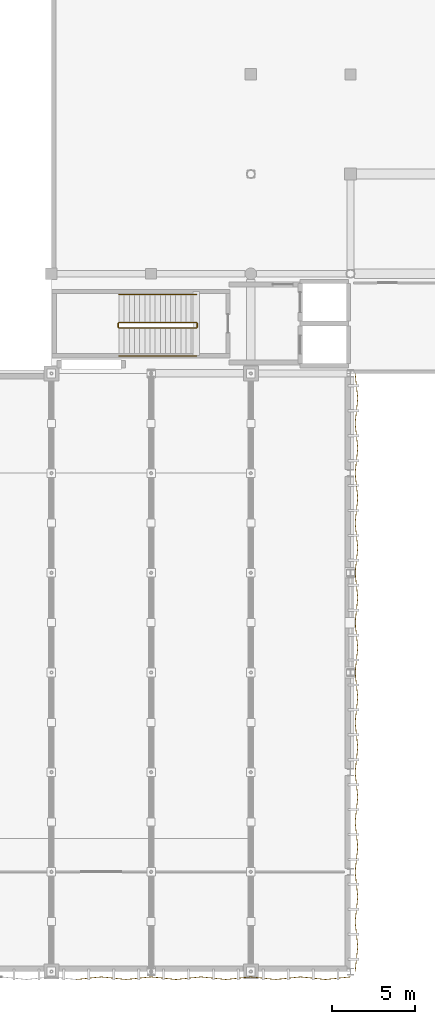
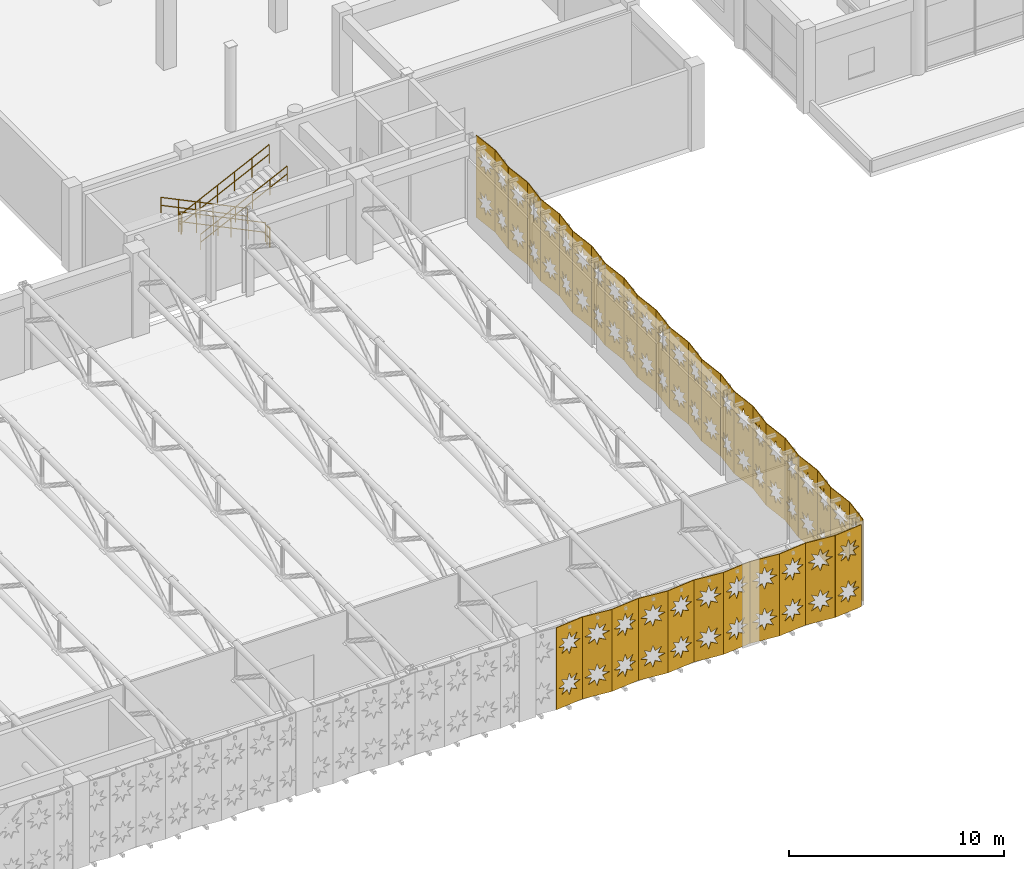
# One storey, part 121 of 123: 35 coverings, 6 railings.
"""IFC4 building model written with IfcOpenShell, lengths in metres."""

from ifc_helpers import new_model, si_unit, direction, frame, origin, origin_2d, place, context, subcontext, project, spatial, polyline, circle, outline, extrude, material, layer, layer_set, type_object, element, save


model = new_model("IFC4")

# Units and contexts
model_context = context("Model", 3, precision=1e-05, world=origin(), true_north=direction((0.0, 1.0)))
body_context = subcontext(model_context, "Body", "Model", "MODEL_VIEW")
ifc_project = project(units=[si_unit("LENGTHUNIT", "METRE"), si_unit("AREAUNIT", "SQUARE_METRE"), si_unit("VOLUMEUNIT", "CUBIC_METRE"), si_unit("PLANEANGLEUNIT", "RADIAN"), si_unit("MASSUNIT", "GRAM", prefix="KILO"), si_unit("THERMODYNAMICTEMPERATUREUNIT", "KELVIN"), si_unit("POWERUNIT", "WATT")], contexts=[model_context])

# Site, building, storey
site_placement = place(None, origin())
site = spatial("IfcSite", under=ifc_project, at=site_placement, CompositionType="ELEMENT")
building_placement = place(site_placement, origin())
building = spatial("IfcBuilding", under=site, at=building_placement, Name="Phaisarnlok Congress Hotel", CompositionType="ELEMENT")
storey_placement = place(building_placement, frame((0.0, 0.0, 15.0)))
storey = spatial("IfcBuildingStorey", under=building, at=storey_placement, Name="L03", CompositionType="ELEMENT", Elevation=15.0)

# Coverings
ifc_material_1 = material(Name="PVDF White Perforated Aluminium Alloy 5052", Category="aluminium")
ifc_layer = layer(ifc_material_1, 0.0400390625, Name="PVDF White Perforated Aluminium Alloy 5052")
ifc_layer_set = layer_set([ifc_layer], Name="PVDF White Perforated Aluminium Alloy 5052")
covering_type = type_object("IfcCoveringType", Name="COV-STAR-FOLD", PredefinedType="CLADDING", material=ifc_layer_set)
for number, where, z_axis, x_axis, name in (
    (1, (127.5, -0.457763671875, 0.06005859375), (0.104566819602, -0.994517863207, 0.0), (0.994517863207, 0.104566819602, 0.0), "Folded star-perforated hall screen SS-02 (V2S L03)"),
    (2, (129.0, -0.300048828125, 0.06005859375), (-0.104566819602, -0.994517863207, 0.0), (0.994517863207, -0.104566819602, 0.0), "Folded star-perforated hall screen SS-02 (V2S L03)"),
    (3, (130.5, -0.457763671875, 0.06005859375), (0.104566819602, -0.994517863207, 0.0), (0.994517863207, 0.104566819602, 0.0), "Folded star-perforated hall screen SS-02 (V2S L03)"),
    (4, (132.0, -0.300048828125, 0.06005859375), (-0.104566819602, -0.994517863207, 0.0), (0.994517863207, -0.104566819602, 0.0), "Folded star-perforated hall screen SS-02 (V2S L03)"),
    (5, (133.5, -0.457763671875, 0.06005859375), (0.104566819602, -0.994517863207, 0.0), (0.994517863207, 0.104566819602, 0.0), "Folded star-perforated hall screen SS-02 (V2S L03)"),
    (6, (135.0, -0.300048828125, 0.06005859375), (-0.104566819602, -0.994517863207, 0.0), (0.994517863207, -0.104566819602, 0.0), "Folded star-perforated hall screen SS-02 (V2S L03)"),
    (7, (136.5, -0.457763671875, 0.06005859375), (0.104566819602, -0.994517863207, 0.0), (0.994517863207, 0.104566819602, 0.0), "Folded star-perforated hall screen SS-02 (V2S L03)"),
    (8, (138.0, -0.300048828125, 0.06005859375), (-0.104566819602, -0.994517863207, 0.0), (0.994517863207, -0.104566819602, 0.0), "Folded star-perforated hall screen SS-02 (V2S L03)"),
    (9, (139.5, -0.457763671875, 0.06005859375), (0.104566819602, -0.994517863207, 0.0), (0.994517863207, 0.104566819602, 0.0), "Folded star-perforated hall screen SS-02 (V2S L03)"),
    (10, (141.0, -0.300048828125, 0.06005859375), (-0.104566819602, -0.994517863207, 0.0), (0.994517863207, -0.104566819602, 0.0), "Folded star-perforated hall screen SS-02 (V2S L03)"),
    (11, (142.5, -0.457763671875, 0.06005859375), (0.104566819602, -0.994517863207, 0.0), (0.994517863207, 0.104566819602, 0.0), "Folded star-perforated hall screen SS-02 (V2S L03)"),
    (12, (144.457763671875, 1.5, 0.06005859375), (-0.994517863207, 0.104566819602, 0.0), (-0.104566819602, -0.994517863207, 0.0), "Folded star-perforated hall screen SS-02 (V2E L03)"),
    (13, (144.300048828125, 3.0, 0.06005859375), (-0.994517863207, -0.104566819602, 0.0), (0.104566819602, -0.994517863207, 0.0), "Folded star-perforated hall screen SS-02 (V2E L03)"),
    (14, (144.457763671875, 4.5, 0.06005859375), (-0.994517863207, 0.104566819602, 0.0), (-0.104566819602, -0.994517863207, 0.0), "Folded star-perforated hall screen SS-02 (V2E L03)"),
    (15, (144.300048828125, 6.0, 0.06005859375), (-0.994517863207, -0.104566819602, 0.0), (0.104566819602, -0.994517863207, 0.0), "Folded star-perforated hall screen SS-02 (V2E L03)"),
    (16, (144.457763671875, 7.5, 0.06005859375), (-0.994517863207, 0.104566819602, 0.0), (-0.104566819602, -0.994517863207, 0.0), "Folded star-perforated hall screen SS-02 (V2E L03)"),
    (17, (144.300048828125, 9.0, 0.06005859375), (-0.994517863207, -0.104566819602, 0.0), (0.104566819602, -0.994517863207, 0.0), "Folded star-perforated hall screen SS-02 (V2E L03)"),
    (18, (144.457763671875, 10.5, 0.06005859375), (-0.994517863207, 0.104566819602, 0.0), (-0.104566819602, -0.994517863207, 0.0), "Folded star-perforated hall screen SS-02 (V2E L03)"),
    (19, (144.300048828125, 12.0, 0.06005859375), (-0.994517863207, -0.104566819602, 0.0), (0.104566819602, -0.994517863207, 0.0), "Folded star-perforated hall screen SS-02 (V2E L03)"),
    (20, (144.457763671875, 13.5, 0.06005859375), (-0.994517863207, 0.104566819602, 0.0), (-0.104566819602, -0.994517863207, 0.0), "Folded star-perforated hall screen SS-02 (V2E L03)"),
    (21, (144.300048828125, 15.0, 0.06005859375), (-0.994517863207, -0.104566819602, 0.0), (0.104566819602, -0.994517863207, 0.0), "Folded star-perforated hall screen SS-02 (V2E L03)"),
    (22, (144.457763671875, 16.5, 0.06005859375), (-0.994517863207, 0.104566819602, 0.0), (-0.104566819602, -0.994517863207, 0.0), "Folded star-perforated hall screen SS-02 (V2E L03)"),
    (23, (144.300048828125, 18.0, 0.06005859375), (-0.994517863207, -0.104566819602, 0.0), (0.104566819602, -0.994517863207, 0.0), "Folded star-perforated hall screen SS-02 (V2E L03)"),
    (24, (144.457763671875, 19.5, 0.06005859375), (-0.994517863207, 0.104566819602, 0.0), (-0.104566819602, -0.994517863207, 0.0), "Folded star-perforated hall screen SS-02 (V2E L03)"),
    (25, (144.300048828125, 21.0, 0.06005859375), (-0.994517863207, -0.104566819602, 0.0), (0.104566819602, -0.994517863207, 0.0), "Folded star-perforated hall screen SS-02 (V2E L03)"),
    (26, (144.457763671875, 22.5, 0.06005859375), (-0.994517863207, 0.104566819602, 0.0), (-0.104566819602, -0.994517863207, 0.0), "Folded star-perforated hall screen SS-02 (V2E L03)"),
    (27, (144.300048828125, 24.0, 0.06005859375), (-0.994517863207, -0.104566819602, 0.0), (0.104566819602, -0.994517863207, 0.0), "Folded star-perforated hall screen SS-02 (V2E L03)"),
    (28, (144.457763671875, 25.5, 0.06005859375), (-0.994517863207, 0.104566819602, 0.0), (-0.104566819602, -0.994517863207, 0.0), "Folded star-perforated hall screen SS-02 (V2E L03)"),
    (29, (144.300048828125, 27.0, 0.06005859375), (-0.994517863207, -0.104566819602, 0.0), (0.104566819602, -0.994517863207, 0.0), "Folded star-perforated hall screen SS-02 (V2E L03)"),
    (30, (144.457763671875, 28.5, 0.06005859375), (-0.994517863207, 0.104566819602, 0.0), (-0.104566819602, -0.994517863207, 0.0), "Folded star-perforated hall screen SS-02 (V2E L03)"),
    (31, (144.300048828125, 30.0, 0.06005859375), (-0.994517863207, -0.104566819602, 0.0), (0.104566819602, -0.994517863207, 0.0), "Folded star-perforated hall screen SS-02 (V2E L03)"),
    (32, (144.457763671875, 31.5, 0.06005859375), (-0.994517863207, 0.104566819602, 0.0), (-0.104566819602, -0.994517863207, 0.0), "Folded star-perforated hall screen SS-02 (V2E L03)"),
    (33, (144.300048828125, 33.0, 0.06005859375), (-0.994517863207, -0.104566819602, 0.0), (0.104566819602, -0.994517863207, 0.0), "Folded star-perforated hall screen SS-02 (V2E L03)"),
    (34, (144.457763671875, 34.5, 0.06005859375), (-0.994517863207, 0.104566819602, 0.0), (-0.104566819602, -0.994517863207, 0.0), "Folded star-perforated hall screen SS-02 (V2E L03)"),
    (35, (144.300048828125, 36.0, 0.06005859375), (-0.994517863207, -0.104566819602, 0.0), (0.104566819602, -0.994517863207, 0.0), "Folded star-perforated hall screen SS-02 (V2E L03)"),
):
    element("IfcCovering", number, at=place(storey_placement, frame(where, z_axis=z_axis, x_axis=x_axis)), inside=storey, type_object=covering_type, Name=name, PredefinedType="CLADDING", context=body_context, shape_type="SweptSolid", body=[
        extrude(outline(polyline([(0.0, 0.0), (1.5082685344258453, 0.0), (1.5082685344258453, 4.659912109375), (0.0, 4.659912109375), (0.0, 0.0)]), holes=[polyline([(1.0351, 1.0486), (1.2021, 0.7171), (0.8705, 0.8841), (0.7541, 0.5315), (0.6378, 0.8841), (0.3062, 0.7171), (0.4732, 1.0486), (0.1207, 1.165), (0.4732, 1.2814), (0.3062, 1.6129), (0.6378, 1.4459), (0.7541, 1.7985), (0.8705, 1.4459), (1.2021, 1.6129), (1.0351, 1.2814), (1.3876, 1.165), (1.0351, 1.0486)]), polyline([(1.0351, 3.3786), (1.2021, 3.0471), (0.8705, 3.2141), (0.7541, 2.8615), (0.6378, 3.2141), (0.3062, 3.0471), (0.4732, 3.3786), (0.1207, 3.495), (0.4732, 3.6114), (0.3062, 3.9429), (0.6378, 3.7759), (0.7541, 4.1285), (0.8705, 3.7759), (1.2021, 3.9429), (1.0351, 3.6114), (1.3876, 3.495), (1.0351, 3.3786)])]), origin(), (0.0, 0.0, 1.0), 0.0400390625),
    ])

# Railings
ifc_material_2 = material(Name="Painted Galvanised Steel S275", Category="steel")
railing_type_1 = type_object("IfcRailingType", Name="RLG-STR-GUARD", PredefinedType="BALUSTRADE", material=ifc_material_2)
railing_1_placement = place(storey_placement, frame((134.719970703125, 39.070068359375, 0.14990234375)))
element("IfcRailing", 36, at=railing_1_placement, inside=storey, type_object=railing_type_1, Name="L03 ST-02 stair guard 1", PredefinedType="BALUSTRADE", context=body_context, shape_type="SweptSolid", body=[
    extrude(circle(Radius=0.02392578125, at=origin_2d()), frame((0.0, 0.0, 1.076171875), z_axis=(-0.900155664878, 0.0, 0.435568340204), x_axis=(0.0, -1.0, 0.0)), (0.0, 0.0, 1.0), 5.165771484375),
    extrude(circle(Radius=0.02392578125, at=origin_2d()), frame((0.0, 0.0, 0.52587890625), z_axis=(-0.900155664878, 0.0, 0.435568340204), x_axis=(0.0, -1.0, 0.0)), (0.0, 0.0, 1.0), 5.165771484375),
    extrude(circle(Radius=0.02099609375, at=origin_2d()), origin(), (0.0, 0.0, 1.0), 1.052001953125),
    extrude(circle(Radius=0.02099609375, at=origin_2d()), frame((-0.929931640625, 0.0, 0.449951171875)), (0.0, 0.0, 1.0), 1.052001953125),
    extrude(circle(Radius=0.02099609375, at=origin_2d()), frame((-1.85986328125, 0.0, 0.89990234375)), (0.0, 0.0, 1.0), 1.052001953125),
    extrude(circle(Radius=0.02099609375, at=origin_2d()), frame((-2.7900390625, 0.0, 1.35009765625)), (0.0, 0.0, 1.0), 1.052001953125),
    extrude(circle(Radius=0.02099609375, at=origin_2d()), frame((-3.719970703125, 0.0, 1.800048828125)), (0.0, 0.0, 1.0), 1.052001953125),
    extrude(circle(Radius=0.02099609375, at=origin_2d()), frame((-4.64990234375, 0.0, 2.25)), (0.0, 0.0, 1.0), 1.052001953125),
])
railing_2_placement = place(storey_placement, frame((130.02001953125, 39.02001953125, 2.39990234375)))
element("IfcRailing", 37, at=railing_2_placement, inside=storey, type_object=railing_type_1, Name="L03 ST-02 stair guard 2", PredefinedType="BALUSTRADE", context=body_context, shape_type="SweptSolid", body=[
    extrude(circle(Radius=0.02392578125, at=origin_2d()), frame((0.0, 0.0, 1.076171875), z_axis=(0.0, -1.0, 0.0), x_axis=(1.0, 0.0, 0.0)), (0.0, 0.0, 1.0), 0.239990234375),
    extrude(circle(Radius=0.02392578125, at=origin_2d()), frame((0.0, 0.0, 0.52587890625), z_axis=(0.0, -1.0, 0.0), x_axis=(1.0, 0.0, 0.0)), (0.0, 0.0, 1.0), 0.239990234375),
    extrude(circle(Radius=0.02099609375, at=origin_2d()), origin(), (0.0, 0.0, 1.0), 1.052001953125),
    extrude(circle(Radius=0.02099609375, at=origin_2d()), frame((0.0, -0.239990234375, 0.0)), (0.0, 0.0, 1.0), 1.052001953125),
])
railing_3_placement = place(storey_placement, frame((130.070068359375, 38.72998046875, 2.550048828125)))
element("IfcRailing", 38, at=railing_3_placement, inside=storey, type_object=railing_type_1, Name="L03 ST-02 stair guard 3", PredefinedType="BALUSTRADE", context=body_context, shape_type="SweptSolid", body=[
    extrude(circle(Radius=0.02392578125, at=origin_2d()), frame((0.0, 0.0, 1.076171875), z_axis=(0.900155664878, 0.0, 0.435568340204), x_axis=(0.0, 1.0, 0.0)), (0.0, 0.0, 1.0), 5.165771484375),
    extrude(circle(Radius=0.02392578125, at=origin_2d()), frame((0.0, 0.0, 0.52587890625), z_axis=(0.900155664878, 0.0, 0.435568340204), x_axis=(0.0, 1.0, 0.0)), (0.0, 0.0, 1.0), 5.165771484375),
    extrude(circle(Radius=0.02099609375, at=origin_2d()), origin(), (0.0, 0.0, 1.0), 1.052001953125),
    extrude(circle(Radius=0.02099609375, at=origin_2d()), frame((0.929931640625, 0.0, 0.449951171875)), (0.0, 0.0, 1.0), 1.052001953125),
    extrude(circle(Radius=0.02099609375, at=origin_2d()), frame((1.85986328125, 0.0, 0.89990234375)), (0.0, 0.0, 1.0), 1.052001953125),
    extrude(circle(Radius=0.02099609375, at=origin_2d()), frame((2.7900390625, 0.0, 1.35009765625)), (0.0, 0.0, 1.0), 1.052001953125),
    extrude(circle(Radius=0.02099609375, at=origin_2d()), frame((3.719970703125, 0.0, 1.800048828125)), (0.0, 0.0, 1.0), 1.052001953125),
    extrude(circle(Radius=0.02099609375, at=origin_2d()), frame((4.64990234375, 0.0, 2.25)), (0.0, 0.0, 1.0), 1.052001953125),
])
railing_4_placement = place(storey_placement, frame((134.77001953125, 39.02001953125, 0.0)))
element("IfcRailing", 39, at=railing_4_placement, inside=storey, type_object=railing_type_1, Name="L03 ST-02 stair guard 4", PredefinedType="BALUSTRADE", context=body_context, shape_type="SweptSolid", body=[
    extrude(circle(Radius=0.02392578125, at=origin_2d()), frame((0.0, 0.0, 1.076171875), z_axis=(0.0, -1.0, 0.0), x_axis=(1.0, 0.0, 0.0)), (0.0, 0.0, 1.0), 0.239990234375),
    extrude(circle(Radius=0.02392578125, at=origin_2d()), frame((0.0, 0.0, 0.52587890625), z_axis=(0.0, -1.0, 0.0), x_axis=(1.0, 0.0, 0.0)), (0.0, 0.0, 1.0), 0.239990234375),
    extrude(circle(Radius=0.02099609375, at=origin_2d()), origin(), (0.0, 0.0, 1.0), 1.052001953125),
    extrude(circle(Radius=0.02099609375, at=origin_2d()), frame((0.0, -0.239990234375, 0.0)), (0.0, 0.0, 1.0), 1.052001953125),
])
ifc_material_3 = material(Name="Brushed Stainless Steel Grade 304", Category="steel")
railing_type_2 = type_object("IfcRailingType", Name="RLG-STR-HRAIL", PredefinedType="HANDRAIL", material=ifc_material_3)
railing_5_placement = place(storey_placement, frame((134.719970703125, 40.75, 0.14990234375)))
element("IfcRailing", 40, at=railing_5_placement, inside=storey, type_object=railing_type_2, Name="L03 ST-02 stair handrail 1", PredefinedType="HANDRAIL", context=body_context, shape_type="SweptSolid", body=[
    extrude(circle(Radius=0.02392578125, at=origin_2d()), frame((0.0, 0.0, 0.8759765625), z_axis=(-0.900155664878, 0.0, 0.435568340204), x_axis=(0.0, -1.0, 0.0)), (0.0, 0.0, 1.0), 5.165771484375),
    extrude(circle(Radius=0.02392578125, at=origin_2d()), frame((0.0, 0.0, 0.42578125), z_axis=(-0.900155664878, 0.0, 0.435568340204), x_axis=(0.0, -1.0, 0.0)), (0.0, 0.0, 1.0), 5.165771484375),
    extrude(circle(Radius=0.02099609375, at=origin_2d()), origin(), (0.0, 0.0, 1.0), 0.851806640625),
    extrude(circle(Radius=0.02099609375, at=origin_2d()), frame((-0.929931640625, 0.0, 0.449951171875)), (0.0, 0.0, 1.0), 0.851806640625),
    extrude(circle(Radius=0.02099609375, at=origin_2d()), frame((-1.85986328125, 0.0, 0.89990234375)), (0.0, 0.0, 1.0), 0.851806640625),
    extrude(circle(Radius=0.02099609375, at=origin_2d()), frame((-2.7900390625, 0.0, 1.35009765625)), (0.0, 0.0, 1.0), 0.851806640625),
    extrude(circle(Radius=0.02099609375, at=origin_2d()), frame((-3.719970703125, 0.0, 1.800048828125)), (0.0, 0.0, 1.0), 0.851806640625),
    extrude(circle(Radius=0.02099609375, at=origin_2d()), frame((-4.64990234375, 0.0, 2.25)), (0.0, 0.0, 1.0), 0.851806640625),
])
railing_6_placement = place(storey_placement, frame((130.070068359375, 37.050048828125, 2.550048828125)))
element("IfcRailing", 41, at=railing_6_placement, inside=storey, type_object=railing_type_2, Name="L03 ST-02 stair handrail 2", PredefinedType="HANDRAIL", context=body_context, shape_type="SweptSolid", body=[
    extrude(circle(Radius=0.02392578125, at=origin_2d()), frame((0.0, 0.0, 0.8759765625), z_axis=(0.900155664878, 0.0, 0.435568340204), x_axis=(0.0, 1.0, 0.0)), (0.0, 0.0, 1.0), 5.165771484375),
    extrude(circle(Radius=0.02392578125, at=origin_2d()), frame((0.0, 0.0, 0.42578125), z_axis=(0.900155664878, 0.0, 0.435568340204), x_axis=(0.0, 1.0, 0.0)), (0.0, 0.0, 1.0), 5.165771484375),
    extrude(circle(Radius=0.02099609375, at=origin_2d()), origin(), (0.0, 0.0, 1.0), 0.851806640625),
    extrude(circle(Radius=0.02099609375, at=origin_2d()), frame((0.929931640625, 0.0, 0.449951171875)), (0.0, 0.0, 1.0), 0.851806640625),
    extrude(circle(Radius=0.02099609375, at=origin_2d()), frame((1.85986328125, 0.0, 0.89990234375)), (0.0, 0.0, 1.0), 0.851806640625),
    extrude(circle(Radius=0.02099609375, at=origin_2d()), frame((2.7900390625, 0.0, 1.35009765625)), (0.0, 0.0, 1.0), 0.851806640625),
    extrude(circle(Radius=0.02099609375, at=origin_2d()), frame((3.719970703125, 0.0, 1.800048828125)), (0.0, 0.0, 1.0), 0.851806640625),
    extrude(circle(Radius=0.02099609375, at=origin_2d()), frame((4.64990234375, 0.0, 2.25)), (0.0, 0.0, 1.0), 0.851806640625),
])

save(model, "model.ifc")
